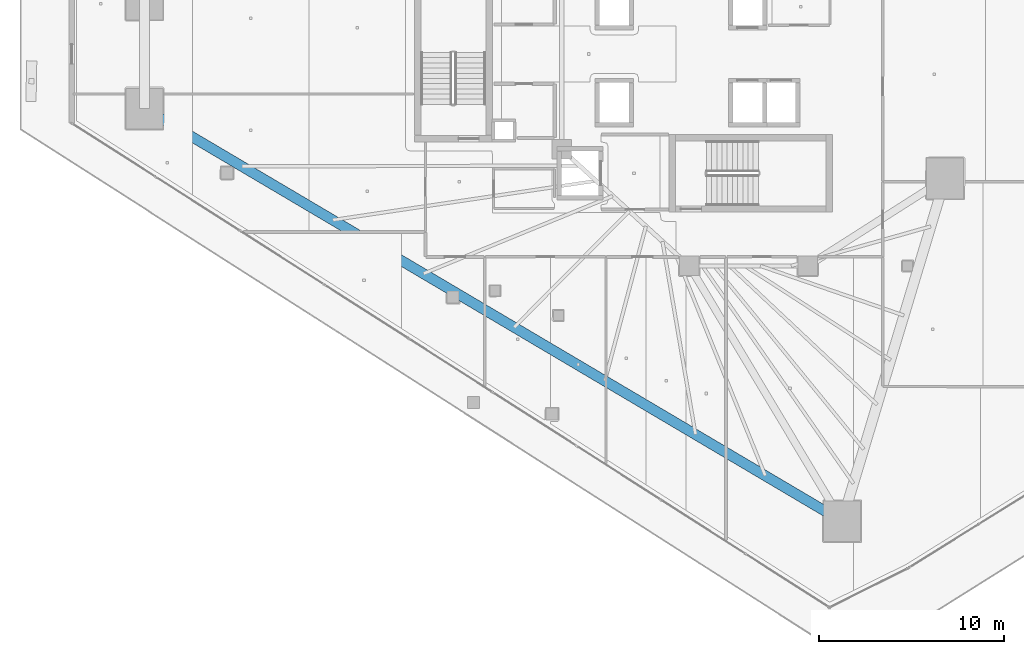
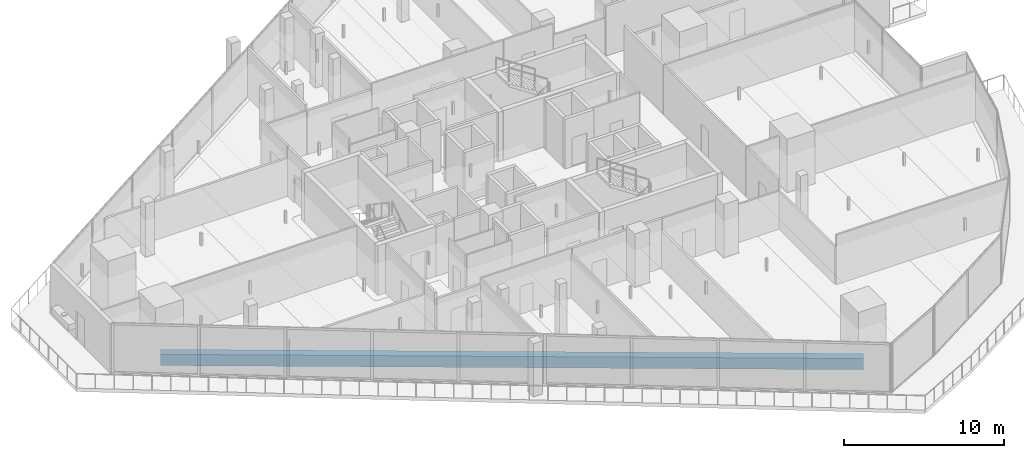
# One storey, part 3 of 38: 1 beam.
"""IFC4 building model written with IfcOpenShell, lengths in metres."""

import ifcopenshell
import ifcopenshell.guid

model = None  # the IFC model being written
_history = None  # IfcOwnerHistory: only IFC2X3 demands one
_inside = {}  # id of a spatial element -> (the spatial element, [elements in it])
_under = {}  # id of a project, library or spatial element -> (it, [spatial elements below it])
_declared = {}  # id of a project -> (the project, [libraries it declares])
_typed = {}  # id of a type object -> (the type object, [elements of that type])
_made_of = {}  # id of a material, layer set ... -> (it, [elements and type objects made of it])


def new_model(schema):
    """Start an empty IFC model of exactly this schema.

    Asked for "IFC4X3", IfcOpenShell would pick the latest addendum, in which some entities
    have other attributes; the version numbers below select the first issue.
    IFC2X3 requires an IfcOwnerHistory on every rooted entity: one is made here for all.
    """
    global model, _history
    if schema == "IFC4X3":
        model = ifcopenshell.file(schema_version=(4, 3, 0, 0))
    else:
        model = ifcopenshell.file(schema=schema)
    _inside.clear()
    _under.clear()
    _declared.clear()
    _typed.clear()
    _made_of.clear()
    _history = None
    if model.schema == "IFC2X3":
        org = make("IfcOrganization", Name="unknown")
        user = make(
            "IfcPersonAndOrganization",
            ThePerson=make("IfcPerson", FamilyName="unknown"),
            TheOrganization=org,
        )
        app = make(
            "IfcApplication",
            ApplicationDeveloper=org,
            Version="unknown",
            ApplicationFullName="unknown",
            ApplicationIdentifier="unknown",
        )
        _history = make(
            "IfcOwnerHistory",
            OwningUser=user,
            OwningApplication=app,
            ChangeAction="ADDED",
            CreationDate=0,
        )
    return model


def make(cls, **values):
    """One entity of the class cls with the attributes given. An attribute that is None is left unset."""
    return model.create_entity(
        cls, **{name: value for name, value in values.items() if value is not None}
    )


def rooted(cls, **values):
    """An entity with a GlobalId (a new one), such as an element, a storey or a relation."""
    return make(cls, GlobalId=ifcopenshell.guid.new(), OwnerHistory=_history, **values)


def si_unit(unit_type, name, prefix=None):
    """IfcSIUnit, for example si_unit("LENGTHUNIT", "METRE", prefix="MILLI")."""
    return make("IfcSIUnit", UnitType=unit_type, Prefix=prefix, Name=name)


def assignment(units):
    """IfcUnitAssignment: the units of a project."""
    return None if units is None else make("IfcUnitAssignment", Units=units)


def point(xyz):
    """IfcCartesianPoint."""
    return None if xyz is None else make("IfcCartesianPoint", Coordinates=xyz)


def direction(xyz):
    """IfcDirection."""
    return None if xyz is None else make("IfcDirection", DirectionRatios=xyz)


def frame(location, z_axis=None, x_axis=None):
    """IfcAxis2Placement3D, a coordinate frame: its origin and axes. An axis left out is left unset."""
    return make(
        "IfcAxis2Placement3D",
        Location=point(location),
        Axis=direction(z_axis),
        RefDirection=direction(x_axis),
    )


def frame_2d(location, x_axis=None):
    """IfcAxis2Placement2D, a coordinate frame in the plane: its origin and x axis."""
    return make(
        "IfcAxis2Placement2D", Location=point(location), RefDirection=direction(x_axis)
    )


def origin():
    """The frame at (0, 0, 0) with its axes left unset."""
    return frame((0.0, 0.0, 0.0))


def origin_2d():
    """The frame at (0, 0) in the plane with its x axis left unset."""
    return frame_2d((0.0, 0.0))


def place(relative_to, where):
    """IfcLocalPlacement: puts the frame where relative to a parent placement (None: the world)."""
    return make(
        "IfcLocalPlacement", PlacementRelTo=relative_to, RelativePlacement=where
    )


def context(
    kind, dimensions, precision=None, world=None, true_north=None, identifier=None
):
    """IfcGeometricRepresentationContext, for example the 3D "Model" context."""
    return make(
        "IfcGeometricRepresentationContext",
        ContextIdentifier=identifier,
        ContextType=kind,
        CoordinateSpaceDimension=dimensions,
        Precision=precision,
        WorldCoordinateSystem=world,
        TrueNorth=true_north,
    )


def subcontext(parent, identifier, kind, view, scale=None):
    """IfcGeometricRepresentationSubContext, for example "Body" below "Model"."""
    return make(
        "IfcGeometricRepresentationSubContext",
        ContextIdentifier=identifier,
        ContextType=kind,
        ParentContext=parent,
        TargetScale=scale,
        TargetView=view,
    )


def project(units=None, contexts=None):
    """IfcProject with its units and contexts."""
    return rooted(
        "IfcProject",
        Name="project",
        RepresentationContexts=contexts,
        UnitsInContext=assignment(units),
    )


def spatial(cls, under=None, at=None, **own):
    """A site, building, storey or space (cls), placed at a placement, below another one or the project."""
    s = rooted(cls, ObjectPlacement=at, **own)
    if under is not None:
        _under.setdefault(under.id(), (under, []))[1].append(s)
    return s


def profile(cls, at=None, kind="AREA", **sizes):
    """A parametric profile (cls). Its sizes go by their IFC names, for example OverallWidth=200.0."""
    return make(cls, ProfileType=kind, Position=at, **sizes)


def rectangle(**sizes):
    """IfcRectangleProfileDef."""
    return profile("IfcRectangleProfileDef", **sizes)


def extrude(swept, where, along, depth):
    """IfcExtrudedAreaSolid: the profile swept, set in the frame where, extruded along a direction by depth."""
    return make(
        "IfcExtrudedAreaSolid",
        SweptArea=swept,
        Position=where,
        ExtrudedDirection=direction(along),
        Depth=depth,
    )


def shape(context_of_items, identifier, shape_type, items):
    """IfcShapeRepresentation: the items that make up one representation, for example the "Body"."""
    return make(
        "IfcShapeRepresentation",
        ContextOfItems=context_of_items,
        RepresentationIdentifier=identifier,
        RepresentationType=shape_type,
        Items=items,
    )


def material(Name=None, Category=None):
    """IfcMaterial."""
    return make("IfcMaterial", Name=Name, Category=Category)


def material_profile(
    of_material, cross_section, Name=None, Category=None, Priority=None
):
    """IfcMaterialProfile: a cross section and its material."""
    return make(
        "IfcMaterialProfile",
        Name=Name,
        Material=of_material,
        Profile=cross_section,
        Priority=Priority,
        Category=Category,
    )


def profile_set(profiles, Name=None, composite=None):
    """IfcMaterialProfileSet."""
    return make(
        "IfcMaterialProfileSet",
        Name=Name,
        MaterialProfiles=profiles,
        CompositeProfile=composite,
    )


def made_of(thing, what):
    """Note that an element or type object is made of a material, layer set ...; save() writes the relation."""
    if what is not None:
        _made_of.setdefault(what.id(), (what, []))[1].append(thing)
    return thing


def type_object(cls, material=None, **own):
    """A type object (cls), such as IfcWallType, which elements share."""
    return made_of(rooted(cls, **own), material)


def element(
    cls,
    number,
    at=None,
    inside=None,
    cuts=None,
    type_object=None,
    material=None,
    context=None,
    identifier="Body",
    shape_type=None,
    held_by="IfcProductDefinitionShape",
    body=None,
    shapes=None,
    **own,
):
    """One element of the class cls, such as IfcWall. Its Tag is "e" and its number.

    at: its placement. inside: the storey or other place that contains it. cuts: it is an
    opening in that element (IfcRelVoidsElement). A single representation is given by context,
    identifier, shape_type and body (its items); several are given by shapes. held_by: the class
    of the entity that holds the representations. save() writes the other relations.
    """
    e = rooted(cls, Tag="e%d" % number, ObjectPlacement=at, **own)
    if body is not None:
        shapes = [shape(context, identifier, shape_type, body)]
    if shapes is not None:
        e.Representation = make(held_by, Representations=shapes)
    if inside is not None:
        _inside.setdefault(inside.id(), (inside, []))[1].append(e)
    if cuts is not None:
        rooted(
            "IfcRelVoidsElement", RelatingBuildingElement=cuts, RelatedOpeningElement=e
        )
    if type_object is not None:
        _typed.setdefault(type_object.id(), (type_object, []))[1].append(e)
    return made_of(e, material)


def aggregate(whole, parts):
    """IfcRelAggregates: a whole, such as a stair, and the parts it consists of."""
    return rooted("IfcRelAggregates", RelatingObject=whole, RelatedObjects=parts)


def save(model, path):
    """Write the relations noted so far, then the file.

    IfcRelAggregates (storeys below a building ...), IfcRelContainedInSpatialStructure (elements
    in a storey), IfcRelDefinesByType, IfcRelAssociatesMaterial and IfcRelDeclares: one each for
    every whole, place, type object, material and project.
    """
    for whole, parts in _under.values():
        aggregate(whole, parts)
    for where, things in _inside.values():
        rooted(
            "IfcRelContainedInSpatialStructure",
            RelatedElements=things,
            RelatingStructure=where,
        )
    for kind, things in _typed.values():
        rooted("IfcRelDefinesByType", RelatedObjects=things, RelatingType=kind)
    for what, things in _made_of.values():
        rooted("IfcRelAssociatesMaterial", RelatedObjects=things, RelatingMaterial=what)
    for by, libraries in _declared.values():
        rooted("IfcRelDeclares", RelatingContext=by, RelatedDefinitions=libraries)
    model.write(path)


model = new_model("IFC4")

# Units and contexts
model_context = context("Model", 3, precision=1e-05, world=origin(), true_north=direction((0.0, 1.0)))
body_context = subcontext(model_context, "Body", "Model", "MODEL_VIEW")
ifc_project = project(units=[si_unit("LENGTHUNIT", "METRE"), si_unit("AREAUNIT", "SQUARE_METRE"), si_unit("VOLUMEUNIT", "CUBIC_METRE"), si_unit("PLANEANGLEUNIT", "RADIAN"), si_unit("MASSUNIT", "GRAM", prefix="KILO")], contexts=[model_context])

# Site, building, storey
site_placement = place(None, origin())
site = spatial("IfcSite", under=ifc_project, at=site_placement, CompositionType="ELEMENT")
building_placement = place(site_placement, origin())
building = spatial("IfcBuilding", under=site, at=building_placement, Name="Qorvath Tower", CompositionType="ELEMENT")
storey_placement = place(building_placement, frame((0.0, 0.0, 146.25)))
storey = spatial("IfcBuildingStorey", under=building, at=storey_placement, Name="L33", CompositionType="ELEMENT", Elevation=146.25)

# Beam
ifc_material = material(Name="Concrete C50/60", Category="concrete")
ifc_material_profile = material_profile(ifc_material, rectangle(XDim=0.550048828125, YDim=0.85009765625, at=origin_2d()), Name="RCB 850x550")
ifc_profile_set = profile_set([ifc_material_profile], Name="Concrete C50/60")
beam_type = type_object("IfcBeamType", Name="BM-RCB2", PredefinedType="SPANDREL", material=ifc_profile_set)
beam_placement = place(storey_placement, frame((-53.04931640625, -2.95068359375, -0.695068359375), z_axis=(0.860775142889, -0.508985415689, 0.0), x_axis=(0.508985415689, 0.860775142889, 0.0)))
element("IfcBeam", 1, at=beam_placement, inside=storey, type_object=beam_type, Name="Perimeter Loggia Frame Beam MC2-MC3 L33", PredefinedType="SPANDREL", context=body_context, shape_type="SweptSolid", body=[
    extrude(rectangle(XDim=0.550048828125, YDim=0.85009765625, at=origin_2d()), origin(), (0.0, 0.0, 1.0), 43.8037109375),
])

save(model, "model.ifc")
